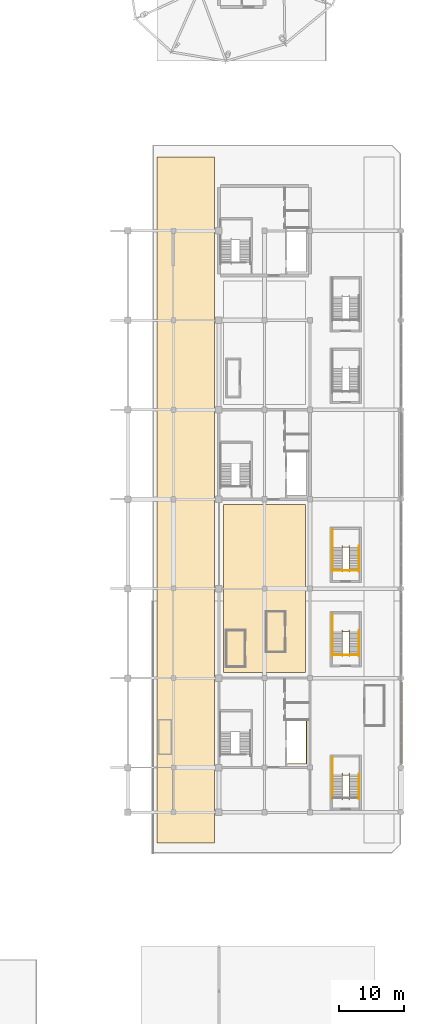
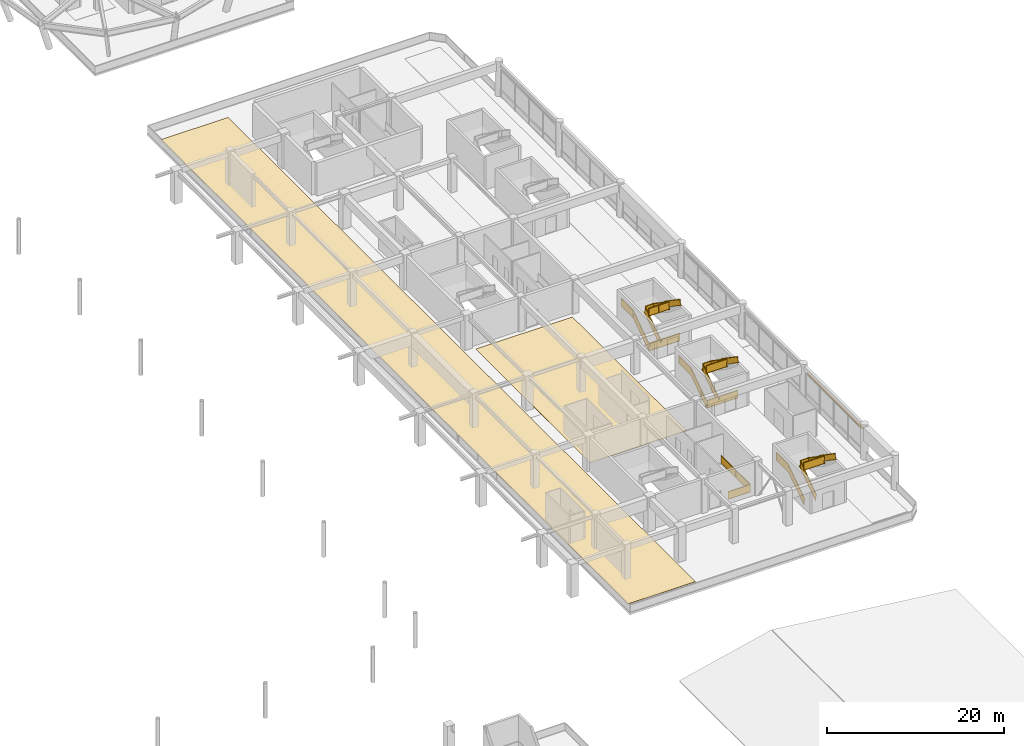
# One storey, part 84 of 91: 12 railings, 2 coverings, 1 shading device.
"""IFC4 building model written with IfcOpenShell, lengths in metres."""

from ifc_helpers import new_model, si_unit, direction, frame, origin, origin_2d, place, context, subcontext, project, spatial, polyline, rectangle, outline, extrude, material, layer, layer_set, type_object, element, save


model = new_model("IFC4")

# Units and contexts
model_context = context("Model", 3, precision=1e-05, world=origin(), true_north=direction((0.0, 1.0)))
body_context = subcontext(model_context, "Body", "Model", "MODEL_VIEW")
ifc_project = project(units=[si_unit("LENGTHUNIT", "METRE"), si_unit("AREAUNIT", "SQUARE_METRE"), si_unit("VOLUMEUNIT", "CUBIC_METRE"), si_unit("PLANEANGLEUNIT", "RADIAN"), si_unit("MASSUNIT", "GRAM", prefix="KILO")], contexts=[model_context])

# Site, building, storey
site_placement = place(None, origin())
site = spatial("IfcSite", under=ifc_project, at=site_placement, CompositionType="ELEMENT")
building_placement = place(site_placement, origin())
building = spatial("IfcBuilding", under=site, at=building_placement, Name="Linyun Crest Stadium", CompositionType="ELEMENT")
storey_placement = place(building_placement, frame((0.0, 0.0, 11.39990234375)))
storey = spatial("IfcBuildingStorey", under=building, at=storey_placement, Name="L03", CompositionType="ELEMENT", Elevation=11.39990234375)

# Coverings
ifc_material_1 = material(Name="Polymeric cushioned multi-sport athletic flooring")
ifc_layer_1 = layer(ifc_material_1, 0.01806640625)
ifc_layer_set_1 = layer_set([ifc_layer_1], Name="Polymeric cushioned multi-sport athletic flooring")
covering_type = type_object("IfcCoveringType", Name="FLR01", PredefinedType="FLOORING", material=ifc_layer_set_1)
covering_1_placement = place(storey_placement, origin())
element("IfcCovering", 1, at=covering_1_placement, inside=storey, type_object=covering_type, Name="Athletic flooring FLR01 32", PredefinedType="FLOORING", context=body_context, shape_type="SweptSolid", body=[
    extrude(outline(polyline([(60.5, -50.699951171875), (69.300048828125, -50.699951171875), (69.300048828125, 54.699951171875), (60.5, 54.699951171875), (60.5, -50.699951171875)])), origin(), (0.0, 0.0, 1.0), 0.01806640625),
])
covering_2_placement = place(storey_placement, origin())
element("IfcCovering", 2, at=covering_2_placement, inside=storey, type_object=covering_type, Name="Athletic flooring FLR01 33", PredefinedType="FLOORING", context=body_context, shape_type="SweptSolid", body=[
    extrude(outline(polyline([(70.699951171875, -24.5), (83.300048828125, -24.5), (83.300048828125, 1.300048828125), (70.699951171875, 1.300048828125), (70.699951171875, -24.5)])), origin(), (0.0, 0.0, 1.0), 0.01806640625),
])

# Railings
ifc_material_2 = material(Name="Galvanized and powder-coated steel bowl safety barrier", Category="steel")
railing_type_1 = type_object("IfcRailingType", Name="GR02", PredefinedType="GUARDRAIL", material=ifc_material_2)
railing_1_placement = place(storey_placement, frame((87.5400390625, -21.81005859375, 0.0)))
element("IfcRailing", 3, at=railing_1_placement, inside=storey, type_object=railing_type_1, Name="Slab edge balustrade GR02 140", PredefinedType="GUARDRAIL", context=body_context, shape_type="SweptSolid", body=[
    extrude(rectangle(XDim=0.06005859375, YDim=0.06005859375, at=origin_2d()), frame((0.0, 0.0, 1.090087890625), z_axis=(1.0, 0.0, 0.0), x_axis=(0.0, 1.0, 0.0)), (0.0, 0.0, 1.0), 3.919921875),
    extrude(rectangle(XDim=0.030029296875, YDim=1.0, at=origin_2d()), frame((0.0, 0.0, 0.56005859375), z_axis=(1.0, 0.0, 0.0), x_axis=(0.0, 1.0, 0.0)), (0.0, 0.0, 1.0), 3.919921875),
    extrude(rectangle(XDim=0.06005859375, YDim=0.06005859375, at=origin_2d()), frame((0.0, 0.0, 0.030029296875), z_axis=(1.0, 0.0, 0.0), x_axis=(0.0, 1.0, 0.0)), (0.0, 0.0, 1.0), 3.919921875),
    extrude(rectangle(XDim=0.050048828125, YDim=0.050048828125, at=origin_2d()), origin(), (0.0, 0.0, 1.0), 1.1201171875),
    extrude(rectangle(XDim=0.050048828125, YDim=0.050048828125, at=origin_2d()), frame((3.919921875, 0.0, 0.0)), (0.0, 0.0, 1.0), 1.1201171875),
])
railing_2_placement = place(storey_placement, frame((80.580078125, -38.534912109375, 0.0)))
element("IfcRailing", 4, at=railing_2_placement, inside=storey, type_object=railing_type_1, Name="Slab edge balustrade GR02 141", PredefinedType="GUARDRAIL", context=body_context, shape_type="SweptSolid", body=[
    extrude(rectangle(XDim=0.06005859375, YDim=0.06005859375, at=origin_2d()), frame((0.0, 0.0, 1.090087890625), z_axis=(1.0, 0.0, 0.0), x_axis=(0.0, 1.0, 0.0)), (0.0, 0.0, 1.0), 2.8798828125),
    extrude(rectangle(XDim=0.030029296875, YDim=1.0, at=origin_2d()), frame((0.0, 0.0, 0.56005859375), z_axis=(1.0, 0.0, 0.0), x_axis=(0.0, 1.0, 0.0)), (0.0, 0.0, 1.0), 2.8798828125),
    extrude(rectangle(XDim=0.06005859375, YDim=0.06005859375, at=origin_2d()), frame((0.0, 0.0, 0.030029296875), z_axis=(1.0, 0.0, 0.0), x_axis=(0.0, 1.0, 0.0)), (0.0, 0.0, 1.0), 2.8798828125),
    extrude(rectangle(XDim=0.06005859375, YDim=0.06005859375, at=origin_2d()), frame((2.8798828125, 0.0, 1.090087890625), z_axis=(0.0, 1.0, 0.0), x_axis=(-1.0, 0.0, 0.0)), (0.0, 0.0, 1.0), 6.5498046875),
    extrude(rectangle(XDim=0.030029296875, YDim=1.0, at=origin_2d()), frame((2.8798828125, 0.0, 0.56005859375), z_axis=(0.0, 1.0, 0.0), x_axis=(-1.0, 0.0, 0.0)), (0.0, 0.0, 1.0), 6.5498046875),
    extrude(rectangle(XDim=0.06005859375, YDim=0.06005859375, at=origin_2d()), frame((2.8798828125, 0.0, 0.030029296875), z_axis=(0.0, 1.0, 0.0), x_axis=(-1.0, 0.0, 0.0)), (0.0, 0.0, 1.0), 6.5498046875),
    extrude(rectangle(XDim=0.050048828125, YDim=0.050048828125, at=origin_2d()), origin(), (0.0, 0.0, 1.0), 1.1201171875),
    extrude(rectangle(XDim=0.050048828125, YDim=0.050048828125, at=origin_2d()), frame((2.8798828125, 0.0, 0.0)), (0.0, 0.0, 1.0), 1.1201171875),
    extrude(rectangle(XDim=0.050048828125, YDim=0.050048828125, at=origin_2d()), frame((2.8798828125, 3.27490234375, 0.0)), (0.0, 0.0, 1.0), 1.1201171875),
    extrude(rectangle(XDim=0.050048828125, YDim=0.050048828125, at=origin_2d()), frame((2.8798828125, 6.5498046875, 0.0)), (0.0, 0.0, 1.0), 1.1201171875),
])
railing_3_placement = place(storey_placement, frame((87.5400390625, -8.81005859375, 0.0)))
element("IfcRailing", 5, at=railing_3_placement, inside=storey, type_object=railing_type_1, Name="Slab edge balustrade GR02 148", PredefinedType="GUARDRAIL", context=body_context, shape_type="SweptSolid", body=[
    extrude(rectangle(XDim=0.06005859375, YDim=0.06005859375, at=origin_2d()), frame((0.0, 0.0, 1.090087890625), z_axis=(1.0, 0.0, 0.0), x_axis=(0.0, 1.0, 0.0)), (0.0, 0.0, 1.0), 3.919921875),
    extrude(rectangle(XDim=0.030029296875, YDim=1.0, at=origin_2d()), frame((0.0, 0.0, 0.56005859375), z_axis=(1.0, 0.0, 0.0), x_axis=(0.0, 1.0, 0.0)), (0.0, 0.0, 1.0), 3.919921875),
    extrude(rectangle(XDim=0.06005859375, YDim=0.06005859375, at=origin_2d()), frame((0.0, 0.0, 0.030029296875), z_axis=(1.0, 0.0, 0.0), x_axis=(0.0, 1.0, 0.0)), (0.0, 0.0, 1.0), 3.919921875),
    extrude(rectangle(XDim=0.050048828125, YDim=0.050048828125, at=origin_2d()), origin(), (0.0, 0.0, 1.0), 1.1201171875),
    extrude(rectangle(XDim=0.050048828125, YDim=0.050048828125, at=origin_2d()), frame((3.919921875, 0.0, 0.0)), (0.0, 0.0, 1.0), 1.1201171875),
])
ifc_material_3 = material(Name="Painted steel stairwell safety guard", Category="steel")
railing_type_2 = type_object("IfcRailingType", Name="GR03", PredefinedType="GUARDRAIL", material=ifc_material_3)
railing_4_placement = place(storey_placement, frame((87.429931640625, -43.780029296875, 0.0)))
element("IfcRailing", 6, at=railing_4_placement, inside=storey, type_object=railing_type_2, Name="STR-18-L03 outer guard", PredefinedType="GUARDRAIL", context=body_context, shape_type="SweptSolid", body=[
    extrude(rectangle(XDim=0.06005859375, YDim=0.06005859375, at=origin_2d()), frame((0.0, 0.0, 1.090087890625), z_axis=(0.0, 0.824712752785, 0.565551832633), x_axis=(-1.0, 0.0, 0.0)), (0.0, 0.0, 1.0), 4.243896484375),
    extrude(rectangle(XDim=0.030029296875, YDim=1.0, at=origin_2d()), frame((0.0, 0.0, 0.56005859375), z_axis=(0.0, 0.824712752785, 0.565551832633), x_axis=(-1.0, 0.0, 0.0)), (0.0, 0.0, 1.0), 4.243896484375),
    extrude(rectangle(XDim=0.06005859375, YDim=0.06005859375, at=origin_2d()), frame((0.0, 0.0, 0.030029296875), z_axis=(0.0, 0.824712752785, 0.565551832633), x_axis=(-1.0, 0.0, 0.0)), (0.0, 0.0, 1.0), 4.243896484375),
    extrude(rectangle(XDim=0.06005859375, YDim=0.06005859375, at=origin_2d()), frame((0.0, 3.5, 3.490234375), z_axis=(0.0, 1.0, 0.0), x_axis=(-1.0, 0.0, 0.0)), (0.0, 0.0, 1.0), 2.75),
    extrude(rectangle(XDim=0.030029296875, YDim=1.0, at=origin_2d()), frame((0.0, 3.5, 2.960205078125), z_axis=(0.0, 1.0, 0.0), x_axis=(-1.0, 0.0, 0.0)), (0.0, 0.0, 1.0), 2.75),
    extrude(rectangle(XDim=0.06005859375, YDim=0.06005859375, at=origin_2d()), frame((0.0, 3.5, 2.43017578125), z_axis=(0.0, 1.0, 0.0), x_axis=(-1.0, 0.0, 0.0)), (0.0, 0.0, 1.0), 2.75),
    extrude(rectangle(XDim=0.050048828125, YDim=0.050048828125, at=origin_2d()), origin(), (0.0, 0.0, 1.0), 1.1201171875),
    extrude(rectangle(XDim=0.050048828125, YDim=0.050048828125, at=origin_2d()), frame((0.0, 1.166748046875, 0.800048828125)), (0.0, 0.0, 1.0), 1.1201171875),
    extrude(rectangle(XDim=0.050048828125, YDim=0.050048828125, at=origin_2d()), frame((0.0, 2.333251953125, 1.60009765625)), (0.0, 0.0, 1.0), 1.1201171875),
    extrude(rectangle(XDim=0.050048828125, YDim=0.050048828125, at=origin_2d()), frame((0.0, 3.5, 2.400146484375)), (0.0, 0.0, 1.0), 1.1201171875),
    extrude(rectangle(XDim=0.050048828125, YDim=0.050048828125, at=origin_2d()), frame((0.0, 4.875, 2.400146484375)), (0.0, 0.0, 1.0), 1.1201171875),
    extrude(rectangle(XDim=0.050048828125, YDim=0.050048828125, at=origin_2d()), frame((0.0, 6.25, 2.400146484375)), (0.0, 0.0, 1.0), 1.1201171875),
])
railing_5_placement = place(storey_placement, frame((88.969970703125, -43.800048828125, 0.0)))
element("IfcRailing", 7, at=railing_5_placement, inside=storey, type_object=railing_type_2, Name="STR-18-L03 inner well guard", PredefinedType="GUARDRAIL", context=body_context, shape_type="SweptSolid", body=[
    extrude(rectangle(XDim=0.06005859375, YDim=0.06005859375, at=origin_2d()), frame((0.0, 0.0, 1.090087890625), z_axis=(0.0, 0.826212794201, 0.563358162005), x_axis=(-1.0, 0.0, 0.0)), (0.0, 0.0, 1.0), 4.260498046875),
    extrude(rectangle(XDim=0.030029296875, YDim=1.0, at=origin_2d()), frame((0.0, 0.0, 0.56005859375), z_axis=(0.0, 0.826212794201, 0.563358162005), x_axis=(-1.0, 0.0, 0.0)), (0.0, 0.0, 1.0), 4.260498046875),
    extrude(rectangle(XDim=0.06005859375, YDim=0.06005859375, at=origin_2d()), frame((0.0, 0.0, 0.030029296875), z_axis=(0.0, 0.826212794201, 0.563358162005), x_axis=(-1.0, 0.0, 0.0)), (0.0, 0.0, 1.0), 4.260498046875),
    extrude(rectangle(XDim=0.06005859375, YDim=0.06005859375, at=origin_2d()), frame((0.0, 3.52001953125, 3.490234375), z_axis=(1.0, 0.0, 0.0), x_axis=(0.0, 1.0, 0.0)), (0.0, 0.0, 1.0), 1.06005859375),
    extrude(rectangle(XDim=0.030029296875, YDim=1.0, at=origin_2d()), frame((0.0, 3.52001953125, 2.960205078125), z_axis=(1.0, 0.0, 0.0), x_axis=(0.0, 1.0, 0.0)), (0.0, 0.0, 1.0), 1.06005859375),
    extrude(rectangle(XDim=0.06005859375, YDim=0.06005859375, at=origin_2d()), frame((0.0, 3.52001953125, 2.43017578125), z_axis=(1.0, 0.0, 0.0), x_axis=(0.0, 1.0, 0.0)), (0.0, 0.0, 1.0), 1.06005859375),
    extrude(rectangle(XDim=0.06005859375, YDim=0.06005859375, at=origin_2d()), frame((1.06005859375, 3.52001953125, 3.490234375), z_axis=(0.0, -0.826239466617, 0.563319042644), x_axis=(1.0, 0.0, 0.0)), (0.0, 0.0, 1.0), 4.26025390625),
    extrude(rectangle(XDim=0.030029296875, YDim=1.0, at=origin_2d()), frame((1.06005859375, 3.52001953125, 2.960205078125), z_axis=(0.0, -0.826239466617, 0.563319042644), x_axis=(1.0, 0.0, 0.0)), (0.0, 0.0, 1.0), 4.26025390625),
    extrude(rectangle(XDim=0.06005859375, YDim=0.06005859375, at=origin_2d()), frame((1.06005859375, 3.52001953125, 2.43017578125), z_axis=(0.0, -0.826239466617, 0.563319042644), x_axis=(1.0, 0.0, 0.0)), (0.0, 0.0, 1.0), 4.26025390625),
    extrude(rectangle(XDim=0.06005859375, YDim=0.06005859375, at=origin_2d()), frame((1.06005859375, 0.0, 5.89013671875), z_axis=(-1.0, 0.0, 0.0), x_axis=(0.0, -1.0, 0.0)), (0.0, 0.0, 1.0), 2.610107421875),
    extrude(rectangle(XDim=0.030029296875, YDim=1.0, at=origin_2d()), frame((1.06005859375, 0.0, 5.360107421875), z_axis=(-1.0, 0.0, 0.0), x_axis=(0.0, -1.0, 0.0)), (0.0, 0.0, 1.0), 2.610107421875),
    extrude(rectangle(XDim=0.06005859375, YDim=0.06005859375, at=origin_2d()), frame((1.06005859375, 0.0, 4.830078125), z_axis=(-1.0, 0.0, 0.0), x_axis=(0.0, -1.0, 0.0)), (0.0, 0.0, 1.0), 2.610107421875),
    extrude(rectangle(XDim=0.050048828125, YDim=0.050048828125, at=origin_2d()), origin(), (0.0, 0.0, 1.0), 1.1201171875),
    extrude(rectangle(XDim=0.050048828125, YDim=0.050048828125, at=origin_2d()), frame((0.0, 1.17333984375, 0.800048828125)), (0.0, 0.0, 1.0), 1.1201171875),
    extrude(rectangle(XDim=0.050048828125, YDim=0.050048828125, at=origin_2d()), frame((0.0, 2.3466796875, 1.60009765625)), (0.0, 0.0, 1.0), 1.1201171875),
    extrude(rectangle(XDim=0.050048828125, YDim=0.050048828125, at=origin_2d()), frame((0.0, 3.52001953125, 2.400146484375)), (0.0, 0.0, 1.0), 1.1201171875),
    extrude(rectangle(XDim=0.050048828125, YDim=0.050048828125, at=origin_2d()), frame((1.06005859375, 3.52001953125, 2.400146484375)), (0.0, 0.0, 1.0), 1.1201171875),
    extrude(rectangle(XDim=0.050048828125, YDim=0.050048828125, at=origin_2d()), frame((1.06005859375, 2.3466796875, 3.2001953125)), (0.0, 0.0, 1.0), 1.1201171875),
    extrude(rectangle(XDim=0.050048828125, YDim=0.050048828125, at=origin_2d()), frame((1.06005859375, 1.17333984375, 4.0)), (0.0, 0.0, 1.0), 1.1201171875),
    extrude(rectangle(XDim=0.050048828125, YDim=0.050048828125, at=origin_2d()), frame((1.06005859375, 0.0, 4.800048828125)), (0.0, 0.0, 1.0), 1.1201171875),
    extrude(rectangle(XDim=0.050048828125, YDim=0.050048828125, at=origin_2d()), frame((-0.2451171875, 0.0, 4.800048828125)), (0.0, 0.0, 1.0), 1.1201171875),
    extrude(rectangle(XDim=0.050048828125, YDim=0.050048828125, at=origin_2d()), frame((-1.550048828125, 0.0, 4.800048828125)), (0.0, 0.0, 1.0), 1.1201171875),
])
railing_6_placement = place(storey_placement, frame((87.429931640625, -21.780029296875, 0.0)))
element("IfcRailing", 8, at=railing_6_placement, inside=storey, type_object=railing_type_2, Name="STR-19-L03 outer guard", PredefinedType="GUARDRAIL", context=body_context, shape_type="SweptSolid", body=[
    extrude(rectangle(XDim=0.06005859375, YDim=0.06005859375, at=origin_2d()), frame((0.0, 0.0, 1.090087890625), z_axis=(0.0, 0.824712752785, 0.565551832633), x_axis=(-1.0, 0.0, 0.0)), (0.0, 0.0, 1.0), 4.243896484375),
    extrude(rectangle(XDim=0.030029296875, YDim=1.0, at=origin_2d()), frame((0.0, 0.0, 0.56005859375), z_axis=(0.0, 0.824712752785, 0.565551832633), x_axis=(-1.0, 0.0, 0.0)), (0.0, 0.0, 1.0), 4.243896484375),
    extrude(rectangle(XDim=0.06005859375, YDim=0.06005859375, at=origin_2d()), frame((0.0, 0.0, 0.030029296875), z_axis=(0.0, 0.824712752785, 0.565551832633), x_axis=(-1.0, 0.0, 0.0)), (0.0, 0.0, 1.0), 4.243896484375),
    extrude(rectangle(XDim=0.06005859375, YDim=0.06005859375, at=origin_2d()), frame((0.0, 3.5, 3.490234375), z_axis=(0.0, 1.0, 0.0), x_axis=(-1.0, 0.0, 0.0)), (0.0, 0.0, 1.0), 2.75),
    extrude(rectangle(XDim=0.030029296875, YDim=1.0, at=origin_2d()), frame((0.0, 3.5, 2.960205078125), z_axis=(0.0, 1.0, 0.0), x_axis=(-1.0, 0.0, 0.0)), (0.0, 0.0, 1.0), 2.75),
    extrude(rectangle(XDim=0.06005859375, YDim=0.06005859375, at=origin_2d()), frame((0.0, 3.5, 2.43017578125), z_axis=(0.0, 1.0, 0.0), x_axis=(-1.0, 0.0, 0.0)), (0.0, 0.0, 1.0), 2.75),
    extrude(rectangle(XDim=0.050048828125, YDim=0.050048828125, at=origin_2d()), origin(), (0.0, 0.0, 1.0), 1.1201171875),
    extrude(rectangle(XDim=0.050048828125, YDim=0.050048828125, at=origin_2d()), frame((0.0, 1.166748046875, 0.800048828125)), (0.0, 0.0, 1.0), 1.1201171875),
    extrude(rectangle(XDim=0.050048828125, YDim=0.050048828125, at=origin_2d()), frame((0.0, 2.333251953125, 1.60009765625)), (0.0, 0.0, 1.0), 1.1201171875),
    extrude(rectangle(XDim=0.050048828125, YDim=0.050048828125, at=origin_2d()), frame((0.0, 3.5, 2.400146484375)), (0.0, 0.0, 1.0), 1.1201171875),
    extrude(rectangle(XDim=0.050048828125, YDim=0.050048828125, at=origin_2d()), frame((0.0, 4.875, 2.400146484375)), (0.0, 0.0, 1.0), 1.1201171875),
    extrude(rectangle(XDim=0.050048828125, YDim=0.050048828125, at=origin_2d()), frame((0.0, 6.25, 2.400146484375)), (0.0, 0.0, 1.0), 1.1201171875),
])
railing_7_placement = place(storey_placement, frame((88.969970703125, -21.800048828125, 0.0)))
element("IfcRailing", 9, at=railing_7_placement, inside=storey, type_object=railing_type_2, Name="STR-19-L03 inner well guard", PredefinedType="GUARDRAIL", context=body_context, shape_type="SweptSolid", body=[
    extrude(rectangle(XDim=0.06005859375, YDim=0.06005859375, at=origin_2d()), frame((0.0, 0.0, 1.090087890625), z_axis=(0.0, 0.826212794201, 0.563358162005), x_axis=(-1.0, 0.0, 0.0)), (0.0, 0.0, 1.0), 4.260498046875),
    extrude(rectangle(XDim=0.030029296875, YDim=1.0, at=origin_2d()), frame((0.0, 0.0, 0.56005859375), z_axis=(0.0, 0.826212794201, 0.563358162005), x_axis=(-1.0, 0.0, 0.0)), (0.0, 0.0, 1.0), 4.260498046875),
    extrude(rectangle(XDim=0.06005859375, YDim=0.06005859375, at=origin_2d()), frame((0.0, 0.0, 0.030029296875), z_axis=(0.0, 0.826212794201, 0.563358162005), x_axis=(-1.0, 0.0, 0.0)), (0.0, 0.0, 1.0), 4.260498046875),
    extrude(rectangle(XDim=0.06005859375, YDim=0.06005859375, at=origin_2d()), frame((0.0, 3.52001953125, 3.490234375), z_axis=(1.0, 0.0, 0.0), x_axis=(0.0, 1.0, 0.0)), (0.0, 0.0, 1.0), 1.06005859375),
    extrude(rectangle(XDim=0.030029296875, YDim=1.0, at=origin_2d()), frame((0.0, 3.52001953125, 2.960205078125), z_axis=(1.0, 0.0, 0.0), x_axis=(0.0, 1.0, 0.0)), (0.0, 0.0, 1.0), 1.06005859375),
    extrude(rectangle(XDim=0.06005859375, YDim=0.06005859375, at=origin_2d()), frame((0.0, 3.52001953125, 2.43017578125), z_axis=(1.0, 0.0, 0.0), x_axis=(0.0, 1.0, 0.0)), (0.0, 0.0, 1.0), 1.06005859375),
    extrude(rectangle(XDim=0.06005859375, YDim=0.06005859375, at=origin_2d()), frame((1.06005859375, 3.52001953125, 3.490234375), z_axis=(0.0, -0.826239466617, 0.563319042644), x_axis=(1.0, 0.0, 0.0)), (0.0, 0.0, 1.0), 4.26025390625),
    extrude(rectangle(XDim=0.030029296875, YDim=1.0, at=origin_2d()), frame((1.06005859375, 3.52001953125, 2.960205078125), z_axis=(0.0, -0.826239466617, 0.563319042644), x_axis=(1.0, 0.0, 0.0)), (0.0, 0.0, 1.0), 4.26025390625),
    extrude(rectangle(XDim=0.06005859375, YDim=0.06005859375, at=origin_2d()), frame((1.06005859375, 3.52001953125, 2.43017578125), z_axis=(0.0, -0.826239466617, 0.563319042644), x_axis=(1.0, 0.0, 0.0)), (0.0, 0.0, 1.0), 4.26025390625),
    extrude(rectangle(XDim=0.06005859375, YDim=0.06005859375, at=origin_2d()), frame((1.06005859375, 0.0, 5.89013671875), z_axis=(-1.0, 0.0, 0.0), x_axis=(0.0, -1.0, 0.0)), (0.0, 0.0, 1.0), 2.610107421875),
    extrude(rectangle(XDim=0.030029296875, YDim=1.0, at=origin_2d()), frame((1.06005859375, 0.0, 5.360107421875), z_axis=(-1.0, 0.0, 0.0), x_axis=(0.0, -1.0, 0.0)), (0.0, 0.0, 1.0), 2.610107421875),
    extrude(rectangle(XDim=0.06005859375, YDim=0.06005859375, at=origin_2d()), frame((1.06005859375, 0.0, 4.830078125), z_axis=(-1.0, 0.0, 0.0), x_axis=(0.0, -1.0, 0.0)), (0.0, 0.0, 1.0), 2.610107421875),
    extrude(rectangle(XDim=0.050048828125, YDim=0.050048828125, at=origin_2d()), origin(), (0.0, 0.0, 1.0), 1.1201171875),
    extrude(rectangle(XDim=0.050048828125, YDim=0.050048828125, at=origin_2d()), frame((0.0, 1.17333984375, 0.800048828125)), (0.0, 0.0, 1.0), 1.1201171875),
    extrude(rectangle(XDim=0.050048828125, YDim=0.050048828125, at=origin_2d()), frame((0.0, 2.3466796875, 1.60009765625)), (0.0, 0.0, 1.0), 1.1201171875),
    extrude(rectangle(XDim=0.050048828125, YDim=0.050048828125, at=origin_2d()), frame((0.0, 3.52001953125, 2.400146484375)), (0.0, 0.0, 1.0), 1.1201171875),
    extrude(rectangle(XDim=0.050048828125, YDim=0.050048828125, at=origin_2d()), frame((1.06005859375, 3.52001953125, 2.400146484375)), (0.0, 0.0, 1.0), 1.1201171875),
    extrude(rectangle(XDim=0.050048828125, YDim=0.050048828125, at=origin_2d()), frame((1.06005859375, 2.3466796875, 3.2001953125)), (0.0, 0.0, 1.0), 1.1201171875),
    extrude(rectangle(XDim=0.050048828125, YDim=0.050048828125, at=origin_2d()), frame((1.06005859375, 1.17333984375, 4.0)), (0.0, 0.0, 1.0), 1.1201171875),
    extrude(rectangle(XDim=0.050048828125, YDim=0.050048828125, at=origin_2d()), frame((1.06005859375, 0.0, 4.800048828125)), (0.0, 0.0, 1.0), 1.1201171875),
    extrude(rectangle(XDim=0.050048828125, YDim=0.050048828125, at=origin_2d()), frame((-0.2451171875, 0.0, 4.800048828125)), (0.0, 0.0, 1.0), 1.1201171875),
    extrude(rectangle(XDim=0.050048828125, YDim=0.050048828125, at=origin_2d()), frame((-1.550048828125, 0.0, 4.800048828125)), (0.0, 0.0, 1.0), 1.1201171875),
])
railing_8_placement = place(storey_placement, frame((87.429931640625, -8.780029296875, 0.0)))
element("IfcRailing", 10, at=railing_8_placement, inside=storey, type_object=railing_type_2, Name="STR-20-L03 outer guard", PredefinedType="GUARDRAIL", context=body_context, shape_type="SweptSolid", body=[
    extrude(rectangle(XDim=0.06005859375, YDim=0.06005859375, at=origin_2d()), frame((0.0, 0.0, 1.090087890625), z_axis=(0.0, 0.824712752785, 0.565551832633), x_axis=(-1.0, 0.0, 0.0)), (0.0, 0.0, 1.0), 4.243896484375),
    extrude(rectangle(XDim=0.030029296875, YDim=1.0, at=origin_2d()), frame((0.0, 0.0, 0.56005859375), z_axis=(0.0, 0.824712752785, 0.565551832633), x_axis=(-1.0, 0.0, 0.0)), (0.0, 0.0, 1.0), 4.243896484375),
    extrude(rectangle(XDim=0.06005859375, YDim=0.06005859375, at=origin_2d()), frame((0.0, 0.0, 0.030029296875), z_axis=(0.0, 0.824712752785, 0.565551832633), x_axis=(-1.0, 0.0, 0.0)), (0.0, 0.0, 1.0), 4.243896484375),
    extrude(rectangle(XDim=0.06005859375, YDim=0.06005859375, at=origin_2d()), frame((0.0, 3.5, 3.490234375), z_axis=(0.0, 1.0, 0.0), x_axis=(-1.0, 0.0, 0.0)), (0.0, 0.0, 1.0), 2.75),
    extrude(rectangle(XDim=0.030029296875, YDim=1.0, at=origin_2d()), frame((0.0, 3.5, 2.960205078125), z_axis=(0.0, 1.0, 0.0), x_axis=(-1.0, 0.0, 0.0)), (0.0, 0.0, 1.0), 2.75),
    extrude(rectangle(XDim=0.06005859375, YDim=0.06005859375, at=origin_2d()), frame((0.0, 3.5, 2.43017578125), z_axis=(0.0, 1.0, 0.0), x_axis=(-1.0, 0.0, 0.0)), (0.0, 0.0, 1.0), 2.75),
    extrude(rectangle(XDim=0.050048828125, YDim=0.050048828125, at=origin_2d()), origin(), (0.0, 0.0, 1.0), 1.1201171875),
    extrude(rectangle(XDim=0.050048828125, YDim=0.050048828125, at=origin_2d()), frame((0.0, 1.166748046875, 0.800048828125)), (0.0, 0.0, 1.0), 1.1201171875),
    extrude(rectangle(XDim=0.050048828125, YDim=0.050048828125, at=origin_2d()), frame((0.0, 2.333251953125, 1.60009765625)), (0.0, 0.0, 1.0), 1.1201171875),
    extrude(rectangle(XDim=0.050048828125, YDim=0.050048828125, at=origin_2d()), frame((0.0, 3.5, 2.400146484375)), (0.0, 0.0, 1.0), 1.1201171875),
    extrude(rectangle(XDim=0.050048828125, YDim=0.050048828125, at=origin_2d()), frame((0.0, 4.875, 2.400146484375)), (0.0, 0.0, 1.0), 1.1201171875),
    extrude(rectangle(XDim=0.050048828125, YDim=0.050048828125, at=origin_2d()), frame((0.0, 6.25, 2.400146484375)), (0.0, 0.0, 1.0), 1.1201171875),
])
railing_9_placement = place(storey_placement, frame((88.969970703125, -8.800048828125, 0.0)))
element("IfcRailing", 11, at=railing_9_placement, inside=storey, type_object=railing_type_2, Name="STR-20-L03 inner well guard", PredefinedType="GUARDRAIL", context=body_context, shape_type="SweptSolid", body=[
    extrude(rectangle(XDim=0.06005859375, YDim=0.06005859375, at=origin_2d()), frame((0.0, 0.0, 1.090087890625), z_axis=(0.0, 0.826212794201, 0.563358162005), x_axis=(-1.0, 0.0, 0.0)), (0.0, 0.0, 1.0), 4.260498046875),
    extrude(rectangle(XDim=0.030029296875, YDim=1.0, at=origin_2d()), frame((0.0, 0.0, 0.56005859375), z_axis=(0.0, 0.826212794201, 0.563358162005), x_axis=(-1.0, 0.0, 0.0)), (0.0, 0.0, 1.0), 4.260498046875),
    extrude(rectangle(XDim=0.06005859375, YDim=0.06005859375, at=origin_2d()), frame((0.0, 0.0, 0.030029296875), z_axis=(0.0, 0.826212794201, 0.563358162005), x_axis=(-1.0, 0.0, 0.0)), (0.0, 0.0, 1.0), 4.260498046875),
    extrude(rectangle(XDim=0.06005859375, YDim=0.06005859375, at=origin_2d()), frame((0.0, 3.52001953125, 3.490234375), z_axis=(1.0, 0.0, 0.0), x_axis=(0.0, 1.0, 0.0)), (0.0, 0.0, 1.0), 1.06005859375),
    extrude(rectangle(XDim=0.030029296875, YDim=1.0, at=origin_2d()), frame((0.0, 3.52001953125, 2.960205078125), z_axis=(1.0, 0.0, 0.0), x_axis=(0.0, 1.0, 0.0)), (0.0, 0.0, 1.0), 1.06005859375),
    extrude(rectangle(XDim=0.06005859375, YDim=0.06005859375, at=origin_2d()), frame((0.0, 3.52001953125, 2.43017578125), z_axis=(1.0, 0.0, 0.0), x_axis=(0.0, 1.0, 0.0)), (0.0, 0.0, 1.0), 1.06005859375),
    extrude(rectangle(XDim=0.06005859375, YDim=0.06005859375, at=origin_2d()), frame((1.06005859375, 3.52001953125, 3.490234375), z_axis=(0.0, -0.826239466617, 0.563319042644), x_axis=(1.0, 0.0, 0.0)), (0.0, 0.0, 1.0), 4.26025390625),
    extrude(rectangle(XDim=0.030029296875, YDim=1.0, at=origin_2d()), frame((1.06005859375, 3.52001953125, 2.960205078125), z_axis=(0.0, -0.826239466617, 0.563319042644), x_axis=(1.0, 0.0, 0.0)), (0.0, 0.0, 1.0), 4.26025390625),
    extrude(rectangle(XDim=0.06005859375, YDim=0.06005859375, at=origin_2d()), frame((1.06005859375, 3.52001953125, 2.43017578125), z_axis=(0.0, -0.826239466617, 0.563319042644), x_axis=(1.0, 0.0, 0.0)), (0.0, 0.0, 1.0), 4.26025390625),
    extrude(rectangle(XDim=0.06005859375, YDim=0.06005859375, at=origin_2d()), frame((1.06005859375, 0.0, 5.89013671875), z_axis=(-1.0, 0.0, 0.0), x_axis=(0.0, -1.0, 0.0)), (0.0, 0.0, 1.0), 2.610107421875),
    extrude(rectangle(XDim=0.030029296875, YDim=1.0, at=origin_2d()), frame((1.06005859375, 0.0, 5.360107421875), z_axis=(-1.0, 0.0, 0.0), x_axis=(0.0, -1.0, 0.0)), (0.0, 0.0, 1.0), 2.610107421875),
    extrude(rectangle(XDim=0.06005859375, YDim=0.06005859375, at=origin_2d()), frame((1.06005859375, 0.0, 4.830078125), z_axis=(-1.0, 0.0, 0.0), x_axis=(0.0, -1.0, 0.0)), (0.0, 0.0, 1.0), 2.610107421875),
    extrude(rectangle(XDim=0.050048828125, YDim=0.050048828125, at=origin_2d()), origin(), (0.0, 0.0, 1.0), 1.1201171875),
    extrude(rectangle(XDim=0.050048828125, YDim=0.050048828125, at=origin_2d()), frame((0.0, 1.17333984375, 0.800048828125)), (0.0, 0.0, 1.0), 1.1201171875),
    extrude(rectangle(XDim=0.050048828125, YDim=0.050048828125, at=origin_2d()), frame((0.0, 2.3466796875, 1.60009765625)), (0.0, 0.0, 1.0), 1.1201171875),
    extrude(rectangle(XDim=0.050048828125, YDim=0.050048828125, at=origin_2d()), frame((0.0, 3.52001953125, 2.400146484375)), (0.0, 0.0, 1.0), 1.1201171875),
    extrude(rectangle(XDim=0.050048828125, YDim=0.050048828125, at=origin_2d()), frame((1.06005859375, 3.52001953125, 2.400146484375)), (0.0, 0.0, 1.0), 1.1201171875),
    extrude(rectangle(XDim=0.050048828125, YDim=0.050048828125, at=origin_2d()), frame((1.06005859375, 2.3466796875, 3.2001953125)), (0.0, 0.0, 1.0), 1.1201171875),
    extrude(rectangle(XDim=0.050048828125, YDim=0.050048828125, at=origin_2d()), frame((1.06005859375, 1.17333984375, 4.0)), (0.0, 0.0, 1.0), 1.1201171875),
    extrude(rectangle(XDim=0.050048828125, YDim=0.050048828125, at=origin_2d()), frame((1.06005859375, 0.0, 4.800048828125)), (0.0, 0.0, 1.0), 1.1201171875),
    extrude(rectangle(XDim=0.050048828125, YDim=0.050048828125, at=origin_2d()), frame((-0.2451171875, 0.0, 4.800048828125)), (0.0, 0.0, 1.0), 1.1201171875),
    extrude(rectangle(XDim=0.050048828125, YDim=0.050048828125, at=origin_2d()), frame((-1.550048828125, 0.0, 4.800048828125)), (0.0, 0.0, 1.0), 1.1201171875),
])
ifc_material_4 = material(Name="Brushed stainless steel tubular handrail", Category="steel")
railing_type_3 = type_object("IfcRailingType", Name="HR01", PredefinedType="HANDRAIL", material=ifc_material_4)
for number, where, name in (
    (12, (91.52001953125, -40.280029296875, 2.400146484375), "STR-18-L03 handrail"),
    (13, (91.52001953125, -18.280029296875, 2.400146484375), "STR-19-L03 handrail"),
    (14, (91.52001953125, -5.280029296875, 2.400146484375), "STR-20-L03 handrail"),
):
    element("IfcRailing", number, at=place(storey_placement, frame(where)), inside=storey, type_object=railing_type_3, Name=name, PredefinedType="HANDRAIL", context=body_context, shape_type="SweptSolid", body=[
        extrude(rectangle(XDim=0.06005859375, YDim=0.06005859375, at=origin_2d()), frame((0.0, 0.0, 0.889892578125), z_axis=(0.0, -0.824739584531, 0.5655127034), x_axis=(1.0, 0.0, 0.0)), (0.0, 0.0, 1.0), 4.24365234375),
        extrude(rectangle(XDim=0.030029296875, YDim=0.7998046875, at=origin_2d()), frame((0.0, 0.0, 0.4599609375), z_axis=(0.0, -0.824739584531, 0.5655127034), x_axis=(1.0, 0.0, 0.0)), (0.0, 0.0, 1.0), 4.24365234375),
        extrude(rectangle(XDim=0.06005859375, YDim=0.06005859375, at=origin_2d()), frame((0.0, 0.0, 0.030029296875), z_axis=(0.0, -0.824739584531, 0.5655127034), x_axis=(1.0, 0.0, 0.0)), (0.0, 0.0, 1.0), 4.24365234375),
        extrude(rectangle(XDim=0.050048828125, YDim=0.050048828125, at=origin_2d()), origin(), (0.0, 0.0, 1.0), 0.919921875),
        extrude(rectangle(XDim=0.050048828125, YDim=0.050048828125, at=origin_2d()), frame((0.0, -1.75, 1.199951171875)), (0.0, 0.0, 1.0), 0.919921875),
        extrude(rectangle(XDim=0.050048828125, YDim=0.050048828125, at=origin_2d()), frame((0.0, -3.5, 2.39990234375)), (0.0, 0.0, 1.0), 0.919921875),
    ])

# Shading device
ifc_material_5 = material(Name="Glazed ceramic faience brise-soleil screen")
ifc_layer_2 = layer(ifc_material_5, 0.10009765625)
ifc_layer_set_2 = layer_set([ifc_layer_2], Name="Glazed ceramic faience brise-soleil screen")
shading_device_type = type_object("IfcShadingDeviceType", Name="SD02", PredefinedType="SHUTTER", material=ifc_layer_set_2)
shading_device_placement = place(storey_placement, frame((98.1201171875, -32.25, 3.56005859375), z_axis=(0.0, 0.0, 1.0), x_axis=(1.0, 0.0, 0.0)))
element("IfcShadingDevice", 15, at=shading_device_placement, inside=storey, type_object=shading_device_type, Name="Veranda monsoon louvre SD02 240", PredefinedType="SHUTTER", context=body_context, shape_type="SweptSolid", body=[
    extrude(rectangle(XDim=0.159912109375, YDim=12.550048828125, at=origin_2d()), origin(), (0.0, 0.0, 1.0), 0.1201171875),
])

save(model, "model.ifc")
